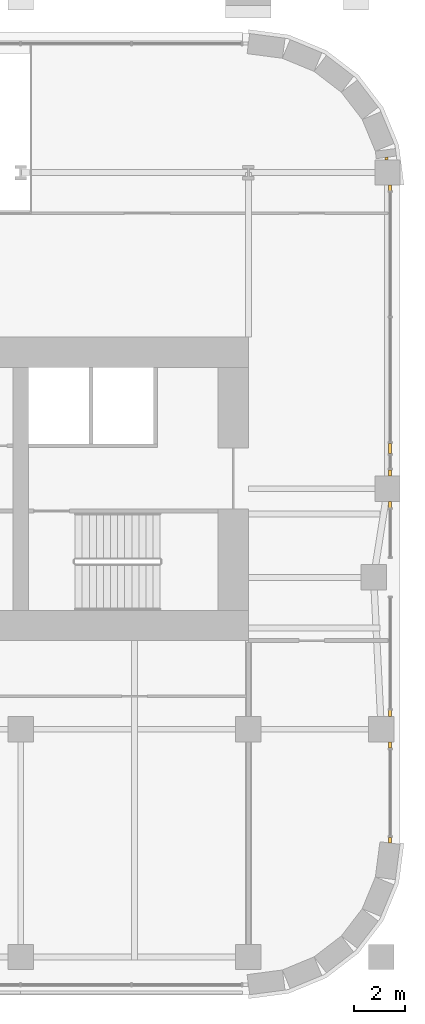
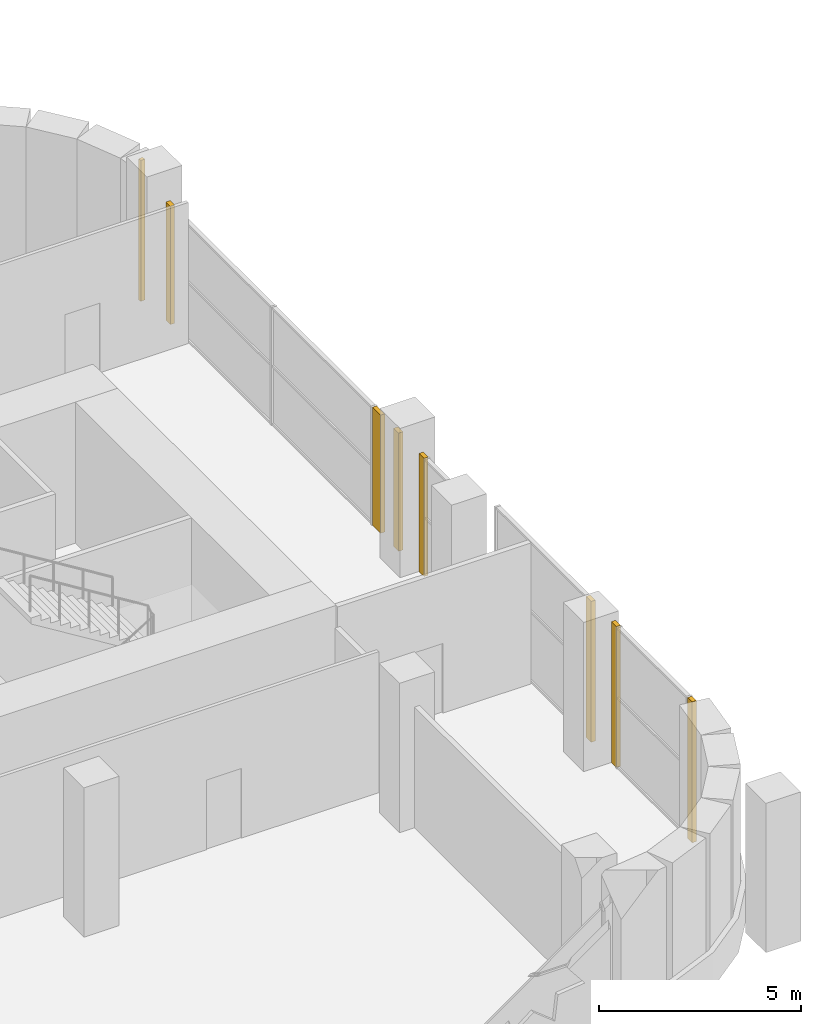
# One storey, part 21 of 21: 8 coverings.
"""IFC4 building model written with IfcOpenShell, lengths in metres."""

from ifc_helpers import new_model, si_unit, direction, frame, origin, origin_2d, place, context, subcontext, project, spatial, rectangle, extrude, material, layer, layer_set, type_object, element, save


model = new_model("IFC4")

# Units and contexts
model_context = context("Model", 3, precision=1e-05, world=origin(), true_north=direction((0.0, 1.0)))
body_context = subcontext(model_context, "Body", "Model", "MODEL_VIEW")
ifc_project = project(units=[si_unit("LENGTHUNIT", "METRE"), si_unit("AREAUNIT", "SQUARE_METRE"), si_unit("VOLUMEUNIT", "CUBIC_METRE"), si_unit("PLANEANGLEUNIT", "RADIAN"), si_unit("MASSUNIT", "GRAM", prefix="KILO")], contexts=[model_context])

# Site, building, storey
site_placement = place(None, origin())
site = spatial("IfcSite", under=ifc_project, at=site_placement, CompositionType="ELEMENT")
building_placement = place(site_placement, origin())
building = spatial("IfcBuilding", under=site, at=building_placement, Name="Zellij Exchange Tower", CompositionType="ELEMENT")
storey_placement = place(building_placement, frame((0.0, 0.0, 43.5)))
storey = spatial("IfcBuildingStorey", under=building, at=storey_placement, Name="L07", CompositionType="ELEMENT", Elevation=43.5)

# Coverings
ifc_material = material(Name="Limestone cladding", Category="masonry")
ifc_layer = layer(ifc_material, 0.1201171875)
ifc_layer_set = layer_set([ifc_layer], Name="Limestone cladding")
covering_type = type_object("IfcCoveringType", Name="ENV-CV18 Glazing closer 120", PredefinedType="CLADDING", material=ifc_layer_set)
covering_1_placement = place(storey_placement, frame((32.60009765625, -6.4052734375, 0.0), z_axis=(0.0, 0.0, 1.0), x_axis=(0.0, 1.0, 0.0)))
element("IfcCovering", 1, at=covering_1_placement, inside=storey, type_object=covering_type, Name="Glazing closer", PredefinedType="CLADDING", context=body_context, shape_type="SweptSolid", body=[
    extrude(rectangle(XDim=0.39990234375, YDim=0.1201171875, at=origin_2d()), origin(), (0.0, 0.0, 1.0), 3.561767578125),
])
for number, where, z_axis, x_axis, name in (
    (2, (32.60009765625, -18.125, 0.0), (0.0, 0.0, 1.0), (0.0, 1.0, 0.0), "Glazing closer"),
    (3, (32.60009765625, -16.875, 0.0), (0.0, 0.0, 1.0), (0.0, -1.0, 0.0), "Glazing closer"),
):
    element("IfcCovering", number, at=place(storey_placement, frame(where, z_axis=z_axis, x_axis=x_axis)), inside=storey, type_object=covering_type, Name=name, PredefinedType="CLADDING", context=body_context, shape_type="SweptSolid", body=[
        extrude(rectangle(XDim=0.25, YDim=0.1201171875, at=origin_2d()), origin(), (0.0, 0.0, 1.0), 4.25),
    ])
for number, where, z_axis, x_axis, name in (
    (4, (32.60009765625, -8.625, 0.0), (0.0, 0.0, 1.0), (0.0, 1.0, 0.0), "Glazing closer"),
    (5, (32.60009765625, -7.375, 0.0), (0.0, 0.0, 1.0), (0.0, -1.0, 0.0), "Glazing closer"),
):
    element("IfcCovering", number, at=place(storey_placement, frame(where, z_axis=z_axis, x_axis=x_axis)), inside=storey, type_object=covering_type, Name=name, PredefinedType="CLADDING", context=body_context, shape_type="SweptSolid", body=[
        extrude(rectangle(XDim=0.25, YDim=0.1201171875, at=origin_2d()), origin(), (0.0, 0.0, 1.0), 3.561767578125),
    ])
covering_2_placement = place(storey_placement, frame((32.60009765625, 3.886962890625, 0.0), z_axis=(0.0, 0.0, 1.0), x_axis=(0.0, 1.0, 0.0)))
element("IfcCovering", 6, at=covering_2_placement, inside=storey, type_object=covering_type, Name="Glazing closer", PredefinedType="CLADDING", context=body_context, shape_type="SweptSolid", body=[
    extrude(rectangle(XDim=0.226318359375, YDim=0.1201171875, at=origin_2d()), origin(), (0.0, 0.0, 1.0), 3.561767578125),
])
covering_3_placement = place(storey_placement, frame((32.60009765625, -21.883056640625, 0.0), z_axis=(0.0, 0.0, 1.0), x_axis=(0.0, -1.0, 0.0)))
element("IfcCovering", 7, at=covering_3_placement, inside=storey, type_object=covering_type, Name="Glazing closer", PredefinedType="CLADDING", context=body_context, shape_type="SweptSolid", body=[
    extrude(rectangle(XDim=0.218505859375, YDim=0.1201171875, at=origin_2d()), origin(), (0.0, 0.0, 1.0), 4.25),
])
covering_4_placement = place(storey_placement, frame((32.457763671875, 5.0546875, 0.0), z_axis=(0.0, 0.0, 1.0), x_axis=(0.130498505806, -0.991448505966, 0.0)))
element("IfcCovering", 8, at=covering_4_placement, inside=storey, type_object=covering_type, Name="Glazing closer", PredefinedType="CLADDING", context=body_context, shape_type="SweptSolid", body=[
    extrude(rectangle(XDim=0.0947265625, YDim=0.1201171875, at=origin_2d()), origin(), (0.0, 0.0, 1.0), 4.25),
])

save(model, "model.ifc")
